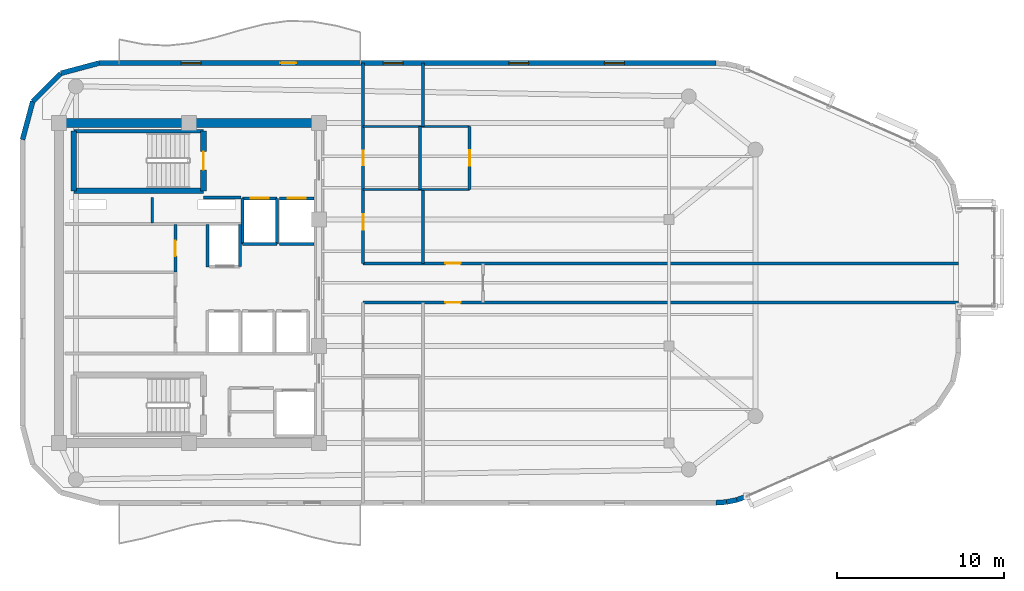
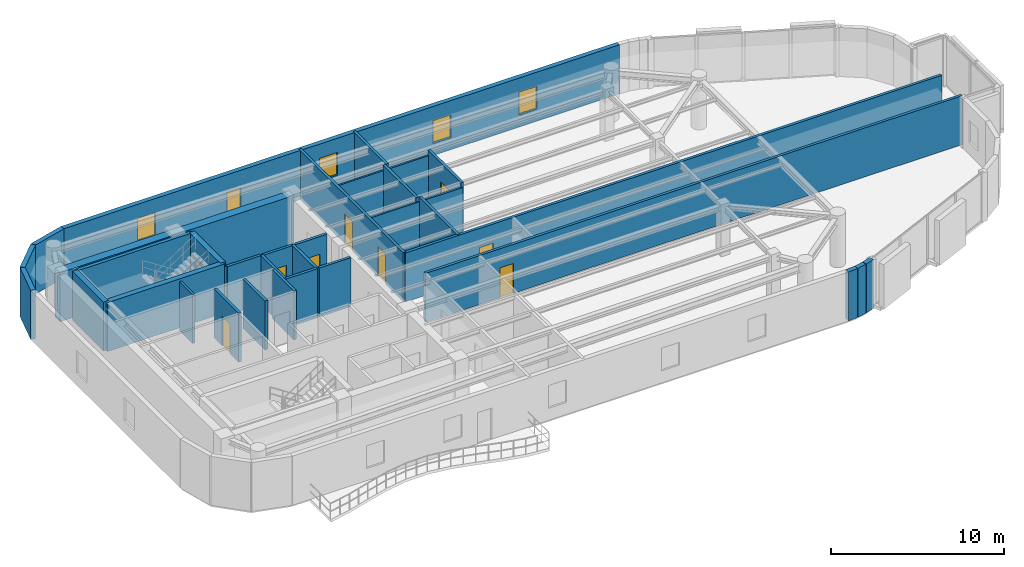
# One storey, part 10 of 13: 32 walls, 10 doors, 4 windows, 14 openings.
"""IFC4 building model written with IfcOpenShell, lengths in metres."""

from ifc_helpers import new_model, si_unit, direction, frame, frame_2d, origin, place, context, subcontext, project, spatial, rectangle, extrude, material, layer, layer_set, type_object, element, fill, save


model = new_model("IFC4")

# Units and contexts
model_context = context("Model", 3, precision=1e-05, world=origin(), true_north=direction((0.0, 1.0)))
body_context = subcontext(model_context, "Body", "Model", "MODEL_VIEW")
ifc_project = project(units=[si_unit("LENGTHUNIT", "METRE"), si_unit("AREAUNIT", "SQUARE_METRE"), si_unit("VOLUMEUNIT", "CUBIC_METRE"), si_unit("PLANEANGLEUNIT", "RADIAN"), si_unit("MASSUNIT", "GRAM", prefix="KILO")], contexts=[model_context])

# Site, building, storey
site_placement = place(None, origin())
site = spatial("IfcSite", under=ifc_project, at=site_placement, CompositionType="ELEMENT")
building_placement = place(site_placement, origin())
building = spatial("IfcBuilding", under=site, at=building_placement, Name="An Khanh Terracotta Commons", CompositionType="ELEMENT")
storey_placement = place(building_placement, frame((0.0, 0.0, 277.050048828125)))
storey = spatial("IfcBuildingStorey", under=building, at=storey_placement, Name="L72", CompositionType="ELEMENT", Elevation=277.050048828125)

# Walls
ifc_material_1 = material(Name="Concrete C50/60", Category="concrete")
ifc_layer_1 = layer(ifc_material_1, 0.550048828125, Name="Concrete C50/60")
ifc_layer_set_1 = layer_set([ifc_layer_1], Name="Concrete C50/60")
wall_type_1 = type_object("IfcWallType", Name="WALL-CORE-550", PredefinedType="SHEAR", material=ifc_layer_set_1)
wall_1_placement = place(storey_placement, frame((21.60009765625, 33.60009765625, 0.0), z_axis=(0.0, 0.0, 1.0), x_axis=(1.0, 0.0, 0.0)))
element("IfcWall", 1, at=wall_1_placement, inside=storey, type_object=wall_type_1, Name="L72 Core Wall CWALL-L72-N", PredefinedType="SHEAR", context=body_context, shape_type="SweptSolid", body=[
    extrude(rectangle(XDim=15.599853515625, YDim=0.550048828125, at=frame_2d((7.7998046875, 0.0))), origin(), (0.0, 0.0, 1.0), 3.449951171875),
])
ifc_material_2 = material(Name="Fire-Rated Gypsum Board on Steel Stud", Category="steel")
ifc_layer_2 = layer(ifc_material_2, 0.179931640625, Name="Fire-Rated Gypsum Board on Steel Stud")
ifc_layer_set_2 = layer_set([ifc_layer_2], Name="Fire-Rated Gypsum Board on Steel Stud")
wall_type_2 = type_object("IfcWallType", Name="WALL-CORR-180", PredefinedType="PARTITIONING", material=ifc_layer_set_2)
wall_2_placement = place(storey_placement, frame((30.27001953125, 29.1201171875, 0.0), z_axis=(0.0, 0.0, 1.0), x_axis=(1.0, 0.0, 0.0)))
element("IfcWall", 2, at=wall_2_placement, inside=storey, type_object=wall_type_2, Name="L72 Core Wall FFLW-L72-S", PredefinedType="PARTITIONING", context=body_context, shape_type="SweptSolid", body=[
    extrude(rectangle(XDim=2.239990234375, YDim=0.179931640625, at=frame_2d((1.1201171875, 0.0))), origin(), (0.0, 0.0, 1.0), 3.449951171875),
])

# Wall, opening, door
wall_3_placement = place(storey_placement, frame((32.60009765625, 29.080078125, 0.0), z_axis=(0.0, 0.0, 1.0), x_axis=(1.0, 0.0, 0.0)))
wall_3 = element("IfcWall", 3, at=wall_3_placement, inside=storey, type_object=wall_type_2, Name="L72 Core Wall LSH-L72-FFL-01-N", PredefinedType="PARTITIONING", context=body_context, shape_type="SweptSolid", body=[
    extrude(rectangle(XDim=2.079833984375, YDim=0.179931640625, at=frame_2d((1.0400390625, 0.0))), origin(), (0.0, 0.0, 1.0), 3.449951171875),
])
opening_1_placement = place(wall_3_placement, frame((0.489990234375, 0.0, 0.0)))
opening_1 = element("IfcOpeningElement", 4, at=opening_1_placement, cuts=wall_3, Name="Opening LD-FFL-01-L72", PredefinedType="OPENING", context=body_context, shape_type="SweptSolid", body=[
    extrude(rectangle(XDim=1.10009765625, YDim=2.199951171875, at=frame_2d((0.550048828125, 1.10009765625))), frame((0.0, 0.099853515625, 0.0), z_axis=(0.0, -1.0, 0.0), x_axis=(1.0, 0.0, 0.0)), (0.0, 0.0, 1.0), 0.199951171875),
])
ifc_material_3 = material(Name="Brushed Stainless Steel Fire Landing Door", Category="steel")
door_type_1 = type_object("IfcDoorType", Name="DOOR-LD-FFL-1100", OperationType="NOTDEFINED", PredefinedType="DOOR", material=ifc_material_3)
door_1_placement = place(opening_1_placement, origin())
door_1 = element("IfcDoor", 5, at=door_1_placement, inside=storey, type_object=door_type_1, Name="L72 Lift FFL-01 Sliding Landing Door", OperationType="DOUBLE_DOOR_SLIDING", OverallHeight=2.199951171875, OverallWidth=1.10009765625, PredefinedType="DOOR", context=body_context, shape_type="SweptSolid", body=[
    extrude(rectangle(XDim=1.10009765625, YDim=2.199951171875, at=frame_2d((0.550048828125, 1.10009765625))), frame((0.0, 0.02490234375, 0.0), z_axis=(0.0, -1.0, 0.0), x_axis=(1.0, 0.0, 0.0)), (0.0, 0.0, 1.0), 0.050048828125),
])
fill(opening_1, door_1)

# Walls
wall_4_placement = place(storey_placement, frame((34.679931640625, 26.35009765625, 0.0), z_axis=(0.0, 0.0, 1.0), x_axis=(-1.0, 0.0, 0.0)))
element("IfcWall", 6, at=wall_4_placement, inside=storey, type_object=wall_type_2, Name="L72 Core Wall LSH-L72-FFL-01-S", PredefinedType="PARTITIONING", context=body_context, shape_type="SweptSolid", body=[
    extrude(rectangle(XDim=2.079833984375, YDim=0.179931640625, at=frame_2d((1.0400390625, 0.0))), origin(), (0.0, 0.0, 1.0), 3.449951171875),
])
for number, where, z_axis, x_axis, name in (
    (7, (34.679931640625, 26.35009765625, 0.0), (0.0, 0.0, 1.0), (0.0, 1.0, 0.0), "L72 Core Wall LSH-L72-FFL-01-E"),
    (8, (32.60009765625, 29.080078125, 0.0), (0.0, 0.0, 1.0), (0.0, -1.0, 0.0), "L72 Core Wall LSH-L72-FFL-01-W"),
):
    element("IfcWall", number, at=place(storey_placement, frame(where, z_axis=z_axis, x_axis=x_axis)), inside=storey, type_object=wall_type_2, Name=name, PredefinedType="PARTITIONING", context=body_context, shape_type="SweptSolid", body=[
        extrude(rectangle(XDim=2.72998046875, YDim=0.179931640625, at=frame_2d((1.364990234375, 0.0))), origin(), (0.0, 0.0, 1.0), 3.449951171875),
    ])

# Wall, opening, door
wall_5_placement = place(storey_placement, frame((34.820068359375, 29.080078125, 0.0), z_axis=(0.0, 0.0, 1.0), x_axis=(1.0, 0.0, 0.0)))
wall_5 = element("IfcWall", 9, at=wall_5_placement, inside=storey, type_object=wall_type_2, Name="L72 Core Wall LSH-L72-FFL-02-N", PredefinedType="PARTITIONING", context=body_context, shape_type="SweptSolid", body=[
    extrude(rectangle(XDim=2.079833984375, YDim=0.179931640625, at=frame_2d((1.0400390625, 0.0))), origin(), (0.0, 0.0, 1.0), 3.449951171875),
])
opening_2_placement = place(wall_5_placement, frame((0.489990234375, 0.0, 0.0)))
opening_2 = element("IfcOpeningElement", 10, at=opening_2_placement, cuts=wall_5, Name="Opening LD-FFL-02-L72", PredefinedType="OPENING", context=body_context, shape_type="SweptSolid", body=[
    extrude(rectangle(XDim=1.10009765625, YDim=2.199951171875, at=frame_2d((0.550048828125, 1.10009765625))), frame((0.0, 0.099853515625, 0.0), z_axis=(0.0, -1.0, 0.0), x_axis=(1.0, 0.0, 0.0)), (0.0, 0.0, 1.0), 0.199951171875),
])
door_2_placement = place(opening_2_placement, origin())
door_2 = element("IfcDoor", 11, at=door_2_placement, inside=storey, type_object=door_type_1, Name="L72 Lift FFL-02 Sliding Landing Door", OperationType="DOUBLE_DOOR_SLIDING", OverallHeight=2.199951171875, OverallWidth=1.10009765625, PredefinedType="DOOR", context=body_context, shape_type="SweptSolid", body=[
    extrude(rectangle(XDim=1.10009765625, YDim=2.199951171875, at=frame_2d((0.550048828125, 1.10009765625))), frame((0.0, 0.02490234375, 0.0), z_axis=(0.0, -1.0, 0.0), x_axis=(1.0, 0.0, 0.0)), (0.0, 0.0, 1.0), 0.050048828125),
])
fill(opening_2, door_2)

# Walls
wall_6_placement = place(storey_placement, frame((36.89990234375, 26.35009765625, 0.0), z_axis=(0.0, 0.0, 1.0), x_axis=(-1.0, 0.0, 0.0)))
element("IfcWall", 12, at=wall_6_placement, inside=storey, type_object=wall_type_2, Name="L72 Core Wall LSH-L72-FFL-02-S", PredefinedType="PARTITIONING", context=body_context, shape_type="SweptSolid", body=[
    extrude(rectangle(XDim=2.079833984375, YDim=0.179931640625, at=frame_2d((1.0400390625, 0.0))), origin(), (0.0, 0.0, 1.0), 3.449951171875),
])
wall_7_placement = place(storey_placement, frame((32.4599609375, 25.0, 0.0), z_axis=(0.0, 0.0, 1.0), x_axis=(0.0, 1.0, 0.0)))
element("IfcWall", 13, at=wall_7_placement, inside=storey, type_object=wall_type_2, Name="L72 Core Wall LSH-L72-PL-H1-E", PredefinedType="PARTITIONING", context=body_context, shape_type="SweptSolid", body=[
    extrude(rectangle(XDim=2.5, YDim=0.179931640625, at=frame_2d((1.25, 0.0))), origin(), (0.0, 0.0, 1.0), 3.449951171875),
])
wall_8_placement = place(storey_placement, frame((30.52001953125, 24.949951171875, 0.0), z_axis=(0.0, 0.0, 1.0), x_axis=(0.0, 1.0, 0.0)))
element("IfcWall", 14, at=wall_8_placement, inside=storey, type_object=wall_type_2, Name="L72 Core Wall RECW-L72-BE1", PredefinedType="PARTITIONING", context=body_context, shape_type="SweptSolid", body=[
    extrude(rectangle(XDim=2.550048828125, YDim=0.179931640625, at=frame_2d((1.27490234375, 0.0))), origin(), (0.0, 0.0, 1.0), 3.449951171875),
])

# Wall, opening, door
wall_9_placement = place(storey_placement, frame((28.580078125, 24.64990234375, 0.0), z_axis=(0.0, 0.0, 1.0), x_axis=(0.0, 1.0, 0.0)))
wall_9 = element("IfcWall", 15, at=wall_9_placement, inside=storey, type_object=wall_type_2, Name="L72 Core Wall RECW-L72-E1", PredefinedType="PARTITIONING", context=body_context, shape_type="SweptSolid", body=[
    extrude(rectangle(XDim=2.85009765625, YDim=0.179931640625, at=frame_2d((1.425048828125, 0.0))), origin(), (0.0, 0.0, 1.0), 3.449951171875),
])
opening_3_placement = place(wall_9_placement, frame((0.965087890625, 0.0, 0.0)))
opening_3 = element("IfcOpeningElement", 16, at=opening_3_placement, cuts=wall_9, Name="Opening D-RM", PredefinedType="OPENING", context=body_context, shape_type="SweptSolid", body=[
    extrude(rectangle(XDim=0.919921875, YDim=2.10009765625, at=frame_2d((0.4599609375, 1.050048828125))), frame((0.0, 0.099853515625, 0.0), z_axis=(0.0, -1.0, 0.0), x_axis=(1.0, 0.0, 0.0)), (0.0, 0.0, 1.0), 0.199951171875),
])
ifc_material_4 = material(Name="Engineered Hardwood Timber Leaf", Category="wood")
door_type_2 = type_object("IfcDoorType", Name="DOOR-INT-920", OperationType="NOTDEFINED", PredefinedType="DOOR", material=ifc_material_4)
door_3_placement = place(opening_3_placement, origin())
door_3 = element("IfcDoor", 17, at=door_3_placement, inside=storey, type_object=door_type_2, Name="L72 Quiet Focus Pod Door", OperationType="SINGLE_SWING_LEFT", OverallHeight=2.10009765625, OverallWidth=0.919921875, PredefinedType="DOOR", context=body_context, shape_type="SweptSolid", body=[
    extrude(rectangle(XDim=0.919921875, YDim=2.10009765625, at=frame_2d((0.4599609375, 1.050048828125))), frame((0.0, 0.02490234375, 0.0), z_axis=(0.0, -1.0, 0.0), x_axis=(1.0, 0.0, 0.0)), (0.0, 0.0, 1.0), 0.050048828125),
])
fill(opening_3, door_3)

wall_10_placement = place(storey_placement, frame((39.85009765625, 22.820068359375, 0.0), z_axis=(0.0, 0.0, 1.0), x_axis=(1.0, 0.0, 0.0)))
wall_10 = element("IfcWall", 18, at=wall_10_placement, inside=storey, type_object=wall_type_2, Name="L72 Interior Partition IW-L72-E003", PredefinedType="PARTITIONING", context=body_context, shape_type="SweptSolid", body=[
    extrude(rectangle(XDim=35.75, YDim=0.179931640625, at=frame_2d((17.875, 0.0))), origin(), (0.0, 0.0, 1.0), 3.449951171875),
])
opening_4_placement = place(wall_10_placement, frame((4.93994140625, 0.0, 0.0)))
opening_4 = element("IfcOpeningElement", 19, at=opening_4_placement, cuts=wall_10, Name="Opening D-RM", PredefinedType="OPENING", context=body_context, shape_type="SweptSolid", body=[
    extrude(rectangle(XDim=0.919921875, YDim=2.10009765625, at=frame_2d((0.4599609375, 1.050048828125))), frame((0.0, 0.099853515625, 0.0), z_axis=(0.0, -1.0, 0.0), x_axis=(1.0, 0.0, 0.0)), (0.0, 0.0, 1.0), 0.199951171875),
])
door_4_placement = place(opening_4_placement, origin())
door_4 = element("IfcDoor", 20, at=door_4_placement, inside=storey, type_object=door_type_2, Name="L72 T5SE Yoga Wellness Room Door", OperationType="SINGLE_SWING_RIGHT", OverallHeight=2.10009765625, OverallWidth=0.919921875, PredefinedType="DOOR", context=body_context, shape_type="SweptSolid", body=[
    extrude(rectangle(XDim=0.919921875, YDim=2.10009765625, at=frame_2d((0.4599609375, 1.050048828125))), frame((0.0, 0.02490234375, 0.0), z_axis=(0.0, -1.0, 0.0), x_axis=(1.0, 0.0, 0.0)), (0.0, 0.0, 1.0), 0.050048828125),
])
fill(opening_4, door_4)

wall_11_placement = place(storey_placement, frame((39.85009765625, 25.179931640625, 0.0), z_axis=(0.0, 0.0, 1.0), x_axis=(1.0, 0.0, 0.0)))
wall_11 = element("IfcWall", 21, at=wall_11_placement, inside=storey, type_object=wall_type_2, Name="L72 Interior Partition IW-L72-E004", PredefinedType="PARTITIONING", context=body_context, shape_type="SweptSolid", body=[
    extrude(rectangle(XDim=35.75, YDim=0.179931640625, at=frame_2d((17.875, 0.0))), origin(), (0.0, 0.0, 1.0), 3.449951171875),
])
opening_5_placement = place(wall_11_placement, frame((4.93994140625, 0.0, 0.0)))
opening_5 = element("IfcOpeningElement", 22, at=opening_5_placement, cuts=wall_11, Name="Opening D-RM", PredefinedType="OPENING", context=body_context, shape_type="SweptSolid", body=[
    extrude(rectangle(XDim=0.919921875, YDim=2.10009765625, at=frame_2d((0.4599609375, 1.050048828125))), frame((0.0, 0.099853515625, 0.0), z_axis=(0.0, -1.0, 0.0), x_axis=(1.0, 0.0, 0.0)), (0.0, 0.0, 1.0), 0.199951171875),
])
door_5_placement = place(opening_5_placement, origin())
door_5 = element("IfcDoor", 23, at=door_5_placement, inside=storey, type_object=door_type_2, Name="L72 T5NE Collaborative Study Lounge Door", OperationType="SINGLE_SWING_RIGHT", OverallHeight=2.10009765625, OverallWidth=0.919921875, PredefinedType="DOOR", context=body_context, shape_type="SweptSolid", body=[
    extrude(rectangle(XDim=0.919921875, YDim=2.10009765625, at=frame_2d((0.4599609375, 1.050048828125))), frame((0.0, 0.02490234375, 0.0), z_axis=(0.0, -1.0, 0.0), x_axis=(1.0, 0.0, 0.0)), (0.0, 0.0, 1.0), 0.050048828125),
])
fill(opening_5, door_5)

# Wall, openings, doors
wall_12_placement = place(storey_placement, frame((39.85009765625, 25.179931640625, 0.0), z_axis=(0.0, 0.0, 1.0), x_axis=(0.0, 1.0, 0.0)))
wall_12 = element("IfcWall", 24, at=wall_12_placement, inside=storey, type_object=wall_type_2, Name="L72 Interior Partition IW-L72-E008", PredefinedType="PARTITIONING", context=body_context, shape_type="SweptSolid", body=[
    extrude(rectangle(XDim=12.02001953125, YDim=0.179931640625, at=frame_2d((6.010009765625, 0.0))), origin(), (0.0, 0.0, 1.0), 3.449951171875),
])
opening_6_placement = place(wall_12_placement, frame((5.8701171875, 0.0, 0.0)))
opening_6 = element("IfcOpeningElement", 25, at=opening_6_placement, cuts=wall_12, Name="Opening D-WC", PredefinedType="OPENING", context=body_context, shape_type="SweptSolid", body=[
    extrude(rectangle(XDim=0.89990234375, YDim=2.10009765625, at=frame_2d((0.449951171875, 1.050048828125))), frame((0.0, 0.099853515625, 0.0), z_axis=(0.0, -1.0, 0.0), x_axis=(1.0, 0.0, 0.0)), (0.0, 0.0, 1.0), 0.199951171875),
])
opening_7_placement = place(wall_12_placement, frame((2.010009765625, 0.0, 0.0)))
opening_7 = element("IfcOpeningElement", 26, at=opening_7_placement, cuts=wall_12, Name="Opening D-RM", PredefinedType="OPENING", context=body_context, shape_type="SweptSolid", body=[
    extrude(rectangle(XDim=0.919921875, YDim=2.10009765625, at=frame_2d((0.4599609375, 1.050048828125))), frame((0.0, 0.099853515625, 0.0), z_axis=(0.0, -1.0, 0.0), x_axis=(1.0, 0.0, 0.0)), (0.0, 0.0, 1.0), 0.199951171875),
])
door_6_placement = place(opening_7_placement, origin())
door_6 = element("IfcDoor", 27, at=door_6_placement, inside=storey, type_object=door_type_2, Name="L72 T5NW Quiet Study Office Door", OperationType="SINGLE_SWING_RIGHT", OverallHeight=2.10009765625, OverallWidth=0.919921875, PredefinedType="DOOR", context=body_context, shape_type="SweptSolid", body=[
    extrude(rectangle(XDim=0.919921875, YDim=2.10009765625, at=frame_2d((0.4599609375, 1.050048828125))), frame((0.0, 0.02490234375, 0.0), z_axis=(0.0, -1.0, 0.0), x_axis=(1.0, 0.0, 0.0)), (0.0, 0.0, 1.0), 0.050048828125),
])
fill(opening_7, door_6)
ifc_material_5 = material(Name="Laminate Moisture-Resistant Timber Leaf", Category="wood")
door_type_3 = type_object("IfcDoorType", Name="DOOR-WC-900", OperationType="NOTDEFINED", PredefinedType="DOOR", material=ifc_material_5)
door_7_placement = place(opening_6_placement, origin())
door_7 = element("IfcDoor", 28, at=door_7_placement, inside=storey, type_object=door_type_3, Name="L72 AWC Accessible WC Door", OperationType="SINGLE_SWING_RIGHT", OverallHeight=2.10009765625, OverallWidth=0.89990234375, PredefinedType="DOOR", context=body_context, shape_type="SweptSolid", body=[
    extrude(rectangle(XDim=0.89990234375, YDim=2.10009765625, at=frame_2d((0.449951171875, 1.050048828125))), frame((0.0, 0.02490234375, 0.0), z_axis=(0.0, -1.0, 0.0), x_axis=(1.0, 0.0, 0.0)), (0.0, 0.0, 1.0), 0.050048828125),
])
fill(opening_6, door_7)

# Walls
wall_13_placement = place(storey_placement, frame((43.25, 29.60009765625, 0.0), z_axis=(0.0, 0.0, 1.0), x_axis=(0.0, 1.0, 0.0)))
element("IfcWall", 29, at=wall_13_placement, inside=storey, type_object=wall_type_2, Name="L72 Interior Partition IW-L72-E010", PredefinedType="PARTITIONING", context=body_context, shape_type="SweptSolid", body=[
    extrude(rectangle(XDim=3.7998046875, YDim=0.179931640625, at=frame_2d((1.89990234375, 0.0))), origin(), (0.0, 0.0, 1.0), 3.449951171875),
])
wall_14_placement = place(storey_placement, frame((43.449951171875, 25.179931640625, 0.0), z_axis=(0.0, 0.0, 1.0), x_axis=(0.0, 1.0, 0.0)))
element("IfcWall", 30, at=wall_14_placement, inside=storey, type_object=wall_type_2, Name="L72 Interior Partition IW-L72-E012", PredefinedType="PARTITIONING", context=body_context, shape_type="SweptSolid", body=[
    extrude(rectangle(XDim=4.420166015625, YDim=0.179931640625, at=frame_2d((2.2099609375, 0.0))), origin(), (0.0, 0.0, 1.0), 3.449951171875),
])
wall_15_placement = place(storey_placement, frame((43.449951171875, 33.39990234375, 0.0), z_axis=(0.0, 0.0, 1.0), x_axis=(0.0, 1.0, 0.0)))
element("IfcWall", 31, at=wall_15_placement, inside=storey, type_object=wall_type_2, Name="L72 Interior Partition IW-L72-E013", PredefinedType="PARTITIONING", context=body_context, shape_type="SweptSolid", body=[
    extrude(rectangle(XDim=3.800048828125, YDim=0.179931640625, at=frame_2d((1.89990234375, 0.0))), origin(), (0.0, 0.0, 1.0), 3.449951171875),
])

# Wall, opening, door
wall_16_placement = place(storey_placement, frame((46.25, 29.60009765625, 0.0), z_axis=(0.0, 0.0, 1.0), x_axis=(0.0, 1.0, 0.0)))
wall_16 = element("IfcWall", 32, at=wall_16_placement, inside=storey, type_object=wall_type_2, Name="L72 Interior Partition IW-L72-E014", PredefinedType="PARTITIONING", context=body_context, shape_type="SweptSolid", body=[
    extrude(rectangle(XDim=3.7998046875, YDim=0.179931640625, at=frame_2d((1.89990234375, 0.0))), origin(), (0.0, 0.0, 1.0), 3.449951171875),
])
opening_8_placement = place(wall_16_placement, frame((1.43994140625, 0.0, 0.0)))
opening_8 = element("IfcOpeningElement", 33, at=opening_8_placement, cuts=wall_16, Name="Opening D-RM", PredefinedType="OPENING", context=body_context, shape_type="SweptSolid", body=[
    extrude(rectangle(XDim=0.919921875, YDim=2.10009765625, at=frame_2d((0.4599609375, 1.050048828125))), frame((0.0, 0.099853515625, 0.0), z_axis=(0.0, -1.0, 0.0), x_axis=(1.0, 0.0, 0.0)), (0.0, 0.0, 1.0), 0.199951171875),
])
door_8_placement = place(opening_8_placement, origin())
door_8 = element("IfcDoor", 34, at=door_8_placement, inside=storey, type_object=door_type_2, Name="L72 HKP Housekeeping Linen Store Door", OperationType="SINGLE_SWING_LEFT", OverallHeight=2.10009765625, OverallWidth=0.919921875, PredefinedType="DOOR", context=body_context, shape_type="SweptSolid", body=[
    extrude(rectangle(XDim=0.919921875, YDim=2.10009765625, at=frame_2d((0.4599609375, 1.050048828125))), frame((0.0, 0.02490234375, 0.0), z_axis=(0.0, -1.0, 0.0), x_axis=(1.0, 0.0, 0.0)), (0.0, 0.0, 1.0), 0.050048828125),
])
fill(opening_8, door_8)

# Walls
ifc_material_6 = material(Name="Precast concrete C40/50", Category="concrete")
ifc_layer_3 = layer(ifc_material_6, 0.300048828125, Name="Precast concrete C40/50")
ifc_layer_set_3 = layer_set([ifc_layer_3], Name="Precast concrete C40/50")
wall_type_3 = type_object("IfcWallType", Name="WALL-EXT-300", PredefinedType="SOLIDWALL", material=ifc_layer_set_3)
wall_17_placement = place(storey_placement, frame((61.030029296875, 10.800048828125, 0.0), z_axis=(0.0, 0.0, 1.0), x_axis=(0.997613959688, 0.069039028352, 0.0)))
element("IfcWall", 35, at=wall_17_placement, inside=storey, type_object=wall_type_3, Name="L72 Insulated Terracotta Exterior Wall 5", PredefinedType="SOLIDWALL", context=body_context, shape_type="SweptSolid", body=[
    extrude(rectangle(XDim=0.636474609375, YDim=0.300048828125, at=frame_2d((0.318359375, 0.0))), origin(), (0.0, 0.0, 1.0), 3.449951171875),
])
wall_18_placement = place(storey_placement, frame((61.6650390625, 10.843994140625, 0.0), z_axis=(0.0, 0.0, 1.0), x_axis=(0.97857012251, 0.205913854149, 0.0)))
element("IfcWall", 36, at=wall_18_placement, inside=storey, type_object=wall_type_3, Name="L72 Insulated Terracotta Exterior Wall 6", PredefinedType="SOLIDWALL", context=body_context, shape_type="SweptSolid", body=[
    extrude(rectangle(XDim=0.63671875, YDim=0.300048828125, at=frame_2d((0.318359375, 0.0))), origin(), (0.0, 0.0, 1.0), 3.449951171875),
])
wall_19_placement = place(storey_placement, frame((62.2880859375, 10.97509765625, 0.0), z_axis=(0.0, 0.0, 1.0), x_axis=(0.94077491148, 0.339031806665, 0.0)))
element("IfcWall", 37, at=wall_19_placement, inside=storey, type_object=wall_type_3, Name="L72 Insulated Terracotta Exterior Wall 7", PredefinedType="SOLIDWALL", context=body_context, shape_type="SweptSolid", body=[
    extrude(rectangle(XDim=0.636474609375, YDim=0.300048828125, at=frame_2d((0.318359375, 0.0))), origin(), (0.0, 0.0, 1.0), 3.449951171875),
])

# Wall, openings, door, windows
wall_20_placement = place(storey_placement, frame((61.030029296875, 37.199951171875, 0.0), z_axis=(0.0, 0.0, 1.0), x_axis=(-1.0, 0.0, 0.0)))
wall_20 = element("IfcWall", 38, at=wall_20_placement, inside=storey, type_object=wall_type_3, Name="L72 Insulated Terracotta Exterior Wall 20", PredefinedType="SOLIDWALL", context=body_context, shape_type="SweptSolid", body=[
    extrude(rectangle(XDim=37.030029296875, YDim=0.300048828125, at=frame_2d((18.51513671875, 0.0))), origin(), (0.0, 0.0, 1.0), 3.449951171875),
])
opening_9_placement = place(wall_20_placement, frame((25.205078125, 0.0, 0.0)))
opening_9 = element("IfcOpeningElement", 39, at=opening_9_placement, cuts=wall_20, Name="Opening D-BAL", PredefinedType="OPENING", context=body_context, shape_type="SweptSolid", body=[
    extrude(rectangle(XDim=0.949951171875, YDim=2.199951171875, at=frame_2d((0.47509765625, 1.10009765625))), frame((0.0, 0.159912109375, 0.0), z_axis=(0.0, -1.0, 0.0), x_axis=(1.0, 0.0, 0.0)), (0.0, 0.0, 1.0), 0.320068359375),
])
opening_10_placement = place(wall_20_placement, frame((5.492919921875, 0.0, 0.85009765625)))
opening_10 = element("IfcOpeningElement", 40, at=opening_10_placement, cuts=wall_20, Name="Opening W-05", PredefinedType="OPENING", context=body_context, shape_type="SweptSolid", body=[
    extrude(rectangle(XDim=1.199951171875, YDim=1.60009765625, at=frame_2d((0.60009765625, 0.800048828125))), frame((0.0, 0.159912109375, 0.0), z_axis=(0.0, -1.0, 0.0), x_axis=(1.0, 0.0, 0.0)), (0.0, 0.0, 1.0), 0.320068359375),
])
opening_11_placement = place(wall_20_placement, frame((11.237060546875, 0.0, 0.85009765625)))
opening_11 = element("IfcOpeningElement", 41, at=opening_11_placement, cuts=wall_20, Name="Opening W-05", PredefinedType="OPENING", context=body_context, shape_type="SweptSolid", body=[
    extrude(rectangle(XDim=1.199951171875, YDim=1.60009765625, at=frame_2d((0.60009765625, 0.800048828125))), frame((0.0, 0.159912109375, 0.0), z_axis=(0.0, -1.0, 0.0), x_axis=(1.0, 0.0, 0.0)), (0.0, 0.0, 1.0), 0.320068359375),
])
opening_12_placement = place(wall_20_placement, frame((18.780029296875, 0.0, 0.85009765625)))
opening_12 = element("IfcOpeningElement", 42, at=opening_12_placement, cuts=wall_20, Name="Opening W-05", PredefinedType="OPENING", context=body_context, shape_type="SweptSolid", body=[
    extrude(rectangle(XDim=1.199951171875, YDim=1.60009765625, at=frame_2d((0.60009765625, 0.800048828125))), frame((0.0, 0.159912109375, 0.0), z_axis=(0.0, -1.0, 0.0), x_axis=(1.0, 0.0, 0.0)), (0.0, 0.0, 1.0), 0.320068359375),
])
opening_13_placement = place(wall_20_placement, frame((30.9130859375, 0.0, 0.85009765625)))
opening_13 = element("IfcOpeningElement", 43, at=opening_13_placement, cuts=wall_20, Name="Opening W-05", PredefinedType="OPENING", context=body_context, shape_type="SweptSolid", body=[
    extrude(rectangle(XDim=1.199951171875, YDim=1.60009765625, at=frame_2d((0.60009765625, 0.800048828125))), frame((0.0, 0.159912109375, 0.0), z_axis=(0.0, -1.0, 0.0), x_axis=(1.0, 0.0, 0.0)), (0.0, 0.0, 1.0), 0.320068359375),
])
ifc_material_7 = material(Name="Thermally Broken Aluminium and Low-E Glass", Category="aluminium")
door_type_4 = type_object("IfcDoorType", Name="DOOR-BALC-950", OperationType="NOTDEFINED", PredefinedType="DOOR", material=ifc_material_7)
door_9_placement = place(opening_9_placement, origin())
door_9 = element("IfcDoor", 44, at=door_9_placement, inside=storey, type_object=door_type_4, Name="L72 N Wave Balcony Glazed Door", OperationType="SINGLE_SWING_RIGHT", OverallHeight=2.199951171875, OverallWidth=0.949951171875, PredefinedType="DOOR", context=body_context, shape_type="SweptSolid", body=[
    extrude(rectangle(XDim=0.949951171875, YDim=2.199951171875, at=frame_2d((0.47509765625, 1.10009765625))), frame((0.0, 0.02490234375, 0.0), z_axis=(0.0, -1.0, 0.0), x_axis=(1.0, 0.0, 0.0)), (0.0, 0.0, 1.0), 0.050048828125),
])
fill(opening_9, door_9)
window_type = type_object("IfcWindowType", Name="WIN-Z5-1200x1600", PartitioningType="SINGLE_PANEL", PredefinedType="WINDOW", material=ifc_material_7)
window_1_placement = place(opening_10_placement, origin())
window_1 = element("IfcWindow", 45, at=window_1_placement, inside=storey, type_object=window_type, Name="L72 Operable Casement Window 20.1", OverallHeight=1.60009765625, OverallWidth=1.199951171875, PartitioningType="SINGLE_PANEL", PredefinedType="WINDOW", context=body_context, shape_type="SweptSolid", body=[
    extrude(rectangle(XDim=1.199951171875, YDim=1.60009765625, at=frame_2d((0.60009765625, 0.800048828125))), frame((0.0, 0.030029296875, 0.0), z_axis=(0.0, -1.0, 0.0), x_axis=(1.0, 0.0, 0.0)), (0.0, 0.0, 1.0), 0.06005859375),
])
fill(opening_10, window_1)
window_2_placement = place(opening_11_placement, origin())
window_2 = element("IfcWindow", 46, at=window_2_placement, inside=storey, type_object=window_type, Name="L72 Operable Casement Window 20.2", OverallHeight=1.60009765625, OverallWidth=1.199951171875, PartitioningType="SINGLE_PANEL", PredefinedType="WINDOW", context=body_context, shape_type="SweptSolid", body=[
    extrude(rectangle(XDim=1.199951171875, YDim=1.60009765625, at=frame_2d((0.60009765625, 0.800048828125))), frame((0.0, 0.030029296875, 0.0), z_axis=(0.0, -1.0, 0.0), x_axis=(1.0, 0.0, 0.0)), (0.0, 0.0, 1.0), 0.06005859375),
])
fill(opening_11, window_2)
window_3_placement = place(opening_12_placement, origin())
window_3 = element("IfcWindow", 47, at=window_3_placement, inside=storey, type_object=window_type, Name="L72 Operable Casement Window 20.3", OverallHeight=1.60009765625, OverallWidth=1.199951171875, PartitioningType="SINGLE_PANEL", PredefinedType="WINDOW", context=body_context, shape_type="SweptSolid", body=[
    extrude(rectangle(XDim=1.199951171875, YDim=1.60009765625, at=frame_2d((0.60009765625, 0.800048828125))), frame((0.0, 0.030029296875, 0.0), z_axis=(0.0, -1.0, 0.0), x_axis=(1.0, 0.0, 0.0)), (0.0, 0.0, 1.0), 0.06005859375),
])
fill(opening_12, window_3)
window_4_placement = place(opening_13_placement, origin())
window_4 = element("IfcWindow", 48, at=window_4_placement, inside=storey, type_object=window_type, Name="L72 Operable Casement Window 20.4", OverallHeight=1.60009765625, OverallWidth=1.199951171875, PartitioningType="SINGLE_PANEL", PredefinedType="WINDOW", context=body_context, shape_type="SweptSolid", body=[
    extrude(rectangle(XDim=1.199951171875, YDim=1.60009765625, at=frame_2d((0.60009765625, 0.800048828125))), frame((0.0, 0.030029296875, 0.0), z_axis=(0.0, -1.0, 0.0), x_axis=(1.0, 0.0, 0.0)), (0.0, 0.0, 1.0), 0.06005859375),
])
fill(opening_13, window_4)

# Walls
wall_21_placement = place(storey_placement, frame((24.0, 37.199951171875, 0.0), z_axis=(0.0, 0.0, 1.0), x_axis=(-0.965960405575, -0.25868995895, 0.0)))
element("IfcWall", 49, at=wall_21_placement, inside=storey, type_object=wall_type_3, Name="L72 Insulated Terracotta Exterior Wall 21", PredefinedType="SOLIDWALL", context=body_context, shape_type="SweptSolid", body=[
    extrude(rectangle(XDim=2.381103515625, YDim=0.300048828125, at=frame_2d((1.1904296875, 0.0))), origin(), (0.0, 0.0, 1.0), 3.449951171875),
])
wall_22_placement = place(storey_placement, frame((21.699951171875, 36.583984375, 0.0), z_axis=(0.0, 0.0, 1.0), x_axis=(-0.707055521135, -0.707158037522, 0.0)))
element("IfcWall", 50, at=wall_22_placement, inside=storey, type_object=wall_type_3, Name="L72 Insulated Terracotta Exterior Wall 22", PredefinedType="SOLIDWALL", context=body_context, shape_type="SweptSolid", body=[
    extrude(rectangle(XDim=2.381591796875, YDim=0.300048828125, at=frame_2d((1.19091796875, 0.0))), origin(), (0.0, 0.0, 1.0), 3.449951171875),
])
wall_23_placement = place(storey_placement, frame((20.01611328125, 34.89990234375, 0.0), z_axis=(0.0, 0.0, 1.0), x_axis=(-0.258811258154, -0.965927912762, 0.0)))
element("IfcWall", 51, at=wall_23_placement, inside=storey, type_object=wall_type_3, Name="L72 Insulated Terracotta Exterior Wall 23", PredefinedType="SOLIDWALL", context=body_context, shape_type="SweptSolid", body=[
    extrude(rectangle(XDim=2.380859375, YDim=0.300048828125, at=frame_2d((1.1904296875, 0.0))), origin(), (0.0, 0.0, 1.0), 3.449951171875),
])
ifc_material_8 = material(Name="Acoustic Gypsum Board Partition")
ifc_layer_4 = layer(ifc_material_8, 0.14990234375, Name="Acoustic Gypsum Board Partition")
ifc_layer_set_4 = layer_set([ifc_layer_4], Name="Acoustic Gypsum Board Partition")
wall_type_4 = type_object("IfcWallType", Name="WALL-PART-150", PredefinedType="PARTITIONING", material=ifc_layer_set_4)
wall_24_placement = place(storey_placement, frame((27.199951171875, 27.60009765625, 0.0), z_axis=(0.0, 0.0, 1.0), x_axis=(0.0, 1.0, 0.0)))
element("IfcWall", 52, at=wall_24_placement, inside=storey, type_object=wall_type_4, Name="L72 Core Wall RSRW-L72-D1", PredefinedType="PARTITIONING", context=body_context, shape_type="SweptSolid", body=[
    extrude(rectangle(XDim=1.52001953125, YDim=0.14990234375, at=frame_2d((0.760009765625, 0.0))), origin(), (0.0, 0.0, 1.0), 3.449951171875),
])
ifc_material_9 = material(Name="Acoustic Double-Stud Gypsum and Mineral Wool")
ifc_layer_5 = layer(ifc_material_9, 0.219970703125, Name="Acoustic Double-Stud Gypsum and Mineral Wool")
ifc_layer_set_5 = layer_set([ifc_layer_5], Name="Acoustic Double-Stud Gypsum and Mineral Wool")
wall_type_5 = type_object("IfcWallType", Name="WALL-PARTY-220", PredefinedType="PARTITIONING", material=ifc_layer_set_5)
wall_25_placement = place(storey_placement, frame((22.47998046875, 33.110107421875, 0.0), z_axis=(0.0, 0.0, 1.0), x_axis=(1.0, 0.0, 0.0)))
element("IfcWall", 53, at=wall_25_placement, inside=storey, type_object=wall_type_5, Name="L72 Core Wall STW-L72-N-N", PredefinedType="PARTITIONING", context=body_context, shape_type="SweptSolid", body=[
    extrude(rectangle(XDim=7.7900390625, YDim=0.219970703125, at=frame_2d((3.89501953125, 0.0))), origin(), (0.0, 0.0, 1.0), 3.449951171875),
])
ifc_layer_6 = layer(ifc_material_1, 0.35009765625, Name="Concrete C50/60")
ifc_layer_set_6 = layer_set([ifc_layer_6], Name="Concrete C50/60")
wall_type_6 = type_object("IfcWallType", Name="WALL-SHAFT-350", PredefinedType="SOLIDWALL", material=ifc_layer_set_6)
wall_26_placement = place(storey_placement, frame((22.47998046875, 29.530029296875, 0.0), z_axis=(0.0, 0.0, 1.0), x_axis=(1.0, 0.0, 0.0)))
element("IfcWall", 54, at=wall_26_placement, inside=storey, type_object=wall_type_6, Name="L72 Core Wall STW-L72-N-S", PredefinedType="SOLIDWALL", context=body_context, shape_type="SweptSolid", body=[
    extrude(rectangle(XDim=7.7900390625, YDim=0.35009765625, at=frame_2d((3.89501953125, 0.0))), origin(), (0.0, 0.0, 1.0), 3.449951171875),
])
wall_27_placement = place(storey_placement, frame((22.47998046875, 29.530029296875, 0.0), z_axis=(0.0, 0.0, 1.0), x_axis=(0.0, 1.0, 0.0)))
element("IfcWall", 55, at=wall_27_placement, inside=storey, type_object=wall_type_6, Name="L72 Core Wall STW-L72-N-W", PredefinedType="SOLIDWALL", context=body_context, shape_type="SweptSolid", body=[
    extrude(rectangle(XDim=3.580078125, YDim=0.35009765625, at=frame_2d((1.7900390625, 0.0))), origin(), (0.0, 0.0, 1.0), 3.449951171875),
])

# Wall, opening, door
wall_28_placement = place(storey_placement, frame((30.27001953125, 29.530029296875, 0.0), z_axis=(0.0, 0.0, 1.0), x_axis=(0.0, 1.0, 0.0)))
wall_28 = element("IfcWall", 56, at=wall_28_placement, inside=storey, type_object=wall_type_6, Name="L72 Core Wall STW-L72-N-E", PredefinedType="SOLIDWALL", context=body_context, shape_type="SweptSolid", body=[
    extrude(rectangle(XDim=3.580078125, YDim=0.35009765625, at=frame_2d((1.7900390625, 0.0))), origin(), (0.0, 0.0, 1.0), 3.449951171875),
])
opening_14_placement = place(wall_28_placement, frame((1.25, 0.0, 0.0)))
opening_14 = element("IfcOpeningElement", 57, at=opening_14_placement, cuts=wall_28, Name="Opening D-ST", PredefinedType="OPENING", context=body_context, shape_type="SweptSolid", body=[
    extrude(rectangle(XDim=1.10009765625, YDim=2.14990234375, at=frame_2d((0.550048828125, 1.074951171875))), frame((0.0, 0.18505859375, 0.0), z_axis=(0.0, -1.0, 0.0), x_axis=(1.0, 0.0, 0.0)), (0.0, 0.0, 1.0), 0.3701171875),
])
ifc_material_10 = material(Name="Fire-Rated Steel Leaf and Frame", Category="steel")
door_type_5 = type_object("IfcDoorType", Name="DOOR-STAIR-1100", OperationType="NOTDEFINED", PredefinedType="DOOR", material=ifc_material_10)
door_10_placement = place(opening_14_placement, origin())
door_10 = element("IfcDoor", 58, at=door_10_placement, inside=storey, type_object=door_type_5, Name="L72 Stair ST-01 Fire Door", OperationType="SINGLE_SWING_LEFT", OverallHeight=2.14990234375, OverallWidth=1.10009765625, PredefinedType="DOOR", context=body_context, shape_type="SweptSolid", body=[
    extrude(rectangle(XDim=1.10009765625, YDim=2.14990234375, at=frame_2d((0.550048828125, 1.074951171875))), frame((0.0, 0.02490234375, 0.0), z_axis=(0.0, -1.0, 0.0), x_axis=(1.0, 0.0, 0.0)), (0.0, 0.0, 1.0), 0.050048828125),
])
fill(opening_14, door_10)

# Walls
ifc_material_11 = material(Name="Moisture-Resistant Cement Board Partition")
ifc_layer_7 = layer(ifc_material_11, 0.1201171875, Name="Moisture-Resistant Cement Board Partition")
ifc_layer_set_7 = layer_set([ifc_layer_7], Name="Moisture-Resistant Cement Board Partition")
wall_type_7 = type_object("IfcWallType", Name="WALL-WET-120", PredefinedType="PARTITIONING", material=ifc_layer_set_7)
wall_29_placement = place(storey_placement, frame((39.85009765625, 29.60009765625, 0.0), z_axis=(0.0, 0.0, 1.0), x_axis=(1.0, 0.0, 0.0)))
element("IfcWall", 59, at=wall_29_placement, inside=storey, type_object=wall_type_7, Name="L72 Interior Partition IW-L72-E005", PredefinedType="PARTITIONING", context=body_context, shape_type="SweptSolid", body=[
    extrude(rectangle(XDim=6.39990234375, YDim=0.1201171875, at=frame_2d((3.199951171875, 0.0))), origin(), (0.0, 0.0, 1.0), 3.1318359375),
])
wall_30_placement = place(storey_placement, frame((39.85009765625, 33.39990234375, 0.0), z_axis=(0.0, 0.0, 1.0), x_axis=(1.0, 0.0, 0.0)))
element("IfcWall", 60, at=wall_30_placement, inside=storey, type_object=wall_type_7, Name="L72 Interior Partition IW-L72-E006", PredefinedType="PARTITIONING", context=body_context, shape_type="SweptSolid", body=[
    extrude(rectangle(XDim=6.39990234375, YDim=0.1201171875, at=frame_2d((3.199951171875, 0.0))), origin(), (0.0, 0.0, 1.0), 3.092041015625),
])

save(model, "model.ifc")
